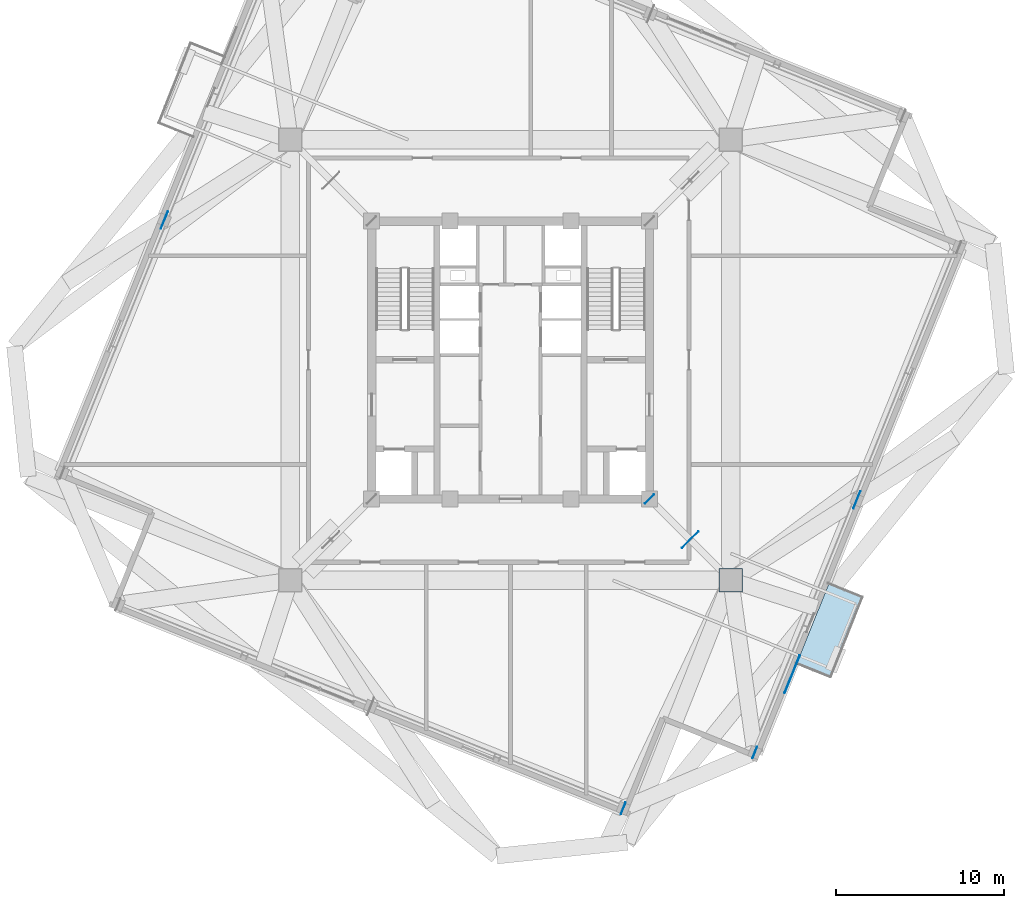
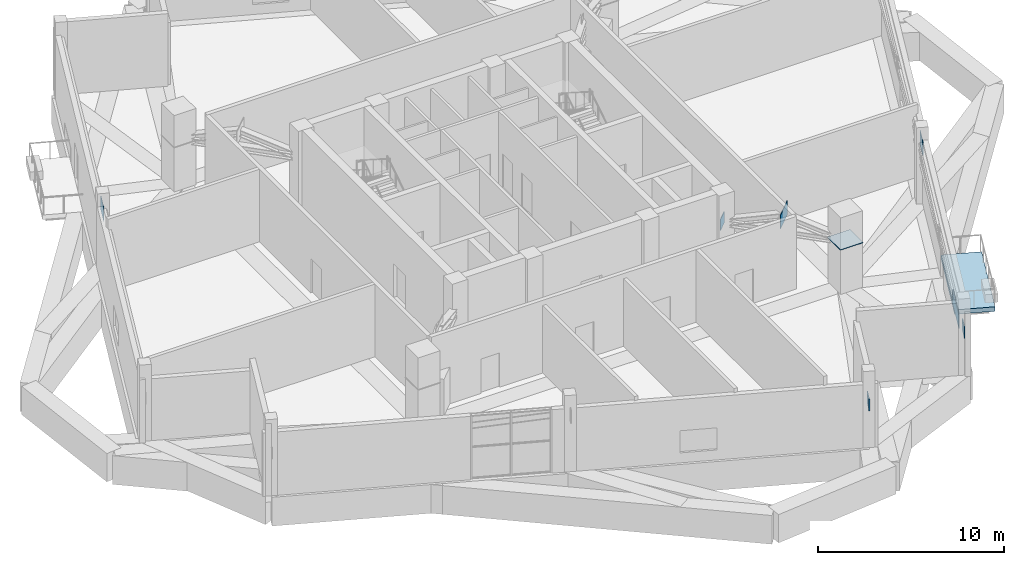
# One storey, part 13 of 20: 8 plates, 1 slab.
"""IFC4 building model written with IfcOpenShell, lengths in metres."""

from ifc_helpers import new_model, si_unit, direction, frame, origin, origin_2d, place, context, subcontext, project, spatial, polyline, rectangle, outline, extrude, source, transform, mapped, material, layer, layer_set, type_object, element, save


model = new_model("IFC4")

# Units and contexts
model_context = context("Model", 3, precision=1e-05, world=origin(), true_north=direction((0.0, 1.0)))
body_context = subcontext(model_context, "Body", "Model", "MODEL_VIEW")
ifc_project = project(units=[si_unit("LENGTHUNIT", "METRE"), si_unit("AREAUNIT", "SQUARE_METRE"), si_unit("VOLUMEUNIT", "CUBIC_METRE"), si_unit("PLANEANGLEUNIT", "RADIAN"), si_unit("MASSUNIT", "GRAM", prefix="KILO"), si_unit("THERMODYNAMICTEMPERATUREUNIT", "KELVIN")], contexts=[model_context])

# Site, building, storey
site_placement = place(None, origin())
site = spatial("IfcSite", under=ifc_project, at=site_placement, CompositionType="ELEMENT")
building_placement = place(site_placement, origin())
building = spatial("IfcBuilding", under=site, at=building_placement, Name="Kosmvard Interchange Tower", CompositionType="ELEMENT")
storey_placement = place(building_placement, frame((0.0, 0.0, 260.199951171875)))
storey = spatial("IfcBuildingStorey", under=building, at=storey_placement, Name="L63", CompositionType="ELEMENT", Elevation=260.199951171875)

# Slab
ifc_material_1 = material(Name="Precast concrete C45/55", Category="concrete")
ifc_layer_1 = layer(ifc_material_1, 0.2900390625, Name="Precast concrete C45/55")
ifc_layer_set_1 = layer_set([ifc_layer_1], Name="Precast concrete C45/55")
slab_type = type_object("IfcSlabType", Name="Cascade Garden Terrace Slab 290 C45/55", PredefinedType="FLOOR", material=ifc_layer_set_1)
slab_placement = place(storey_placement, frame((0.0, 0.0, -0.2900390625)))
element("IfcSlab", 1, at=slab_placement, inside=storey, type_object=slab_type, Name="L63 Outdoor Terrace Balcony Slab SKG-L63-S", PredefinedType="FLOOR", context=body_context, shape_type="SweptSolid", body=[
    extrude(outline(polyline([(19.005615234375, -18.8955078125), (20.953369140625, -14.07421875), (18.91357421875, -13.25), (16.9658203125, -18.0712890625), (19.005615234375, -18.8955078125)])), origin(), (0.0, 0.0, 1.0), 0.2900390625),
])

# Plates
ifc_material_2 = material(Name="Steel S460", Category="steel")
ifc_layer_2 = layer(ifc_material_2, 0.031982421875, Name="Steel S460")
ifc_layer_set_2 = layer_set([ifc_layer_2], Name="Steel S460")
plate_type_1 = type_object("IfcPlateType", Name="Belt Truss Gusset Plate 1100x1100x32 S460", PredefinedType="USERDEFINED", material=ifc_layer_set_2)
shared_shape_1 = source(origin(), body_context, "Body", "SweptSolid", [
    extrude(rectangle(XDim=0.75, YDim=0.031982421875, at=origin_2d()), origin(), (0.0, 0.0, 1.0), 0.75),
])
for number, where, z_axis, x_axis, name in (
    (2, (8.25, -8.25, 2.545166015625), (0.0, 0.0, 1.0), (0.707106781187, 0.707106781187, 0.0), "L63 Outrigger Core End Gusset Plate 2"),
    (3, (14.5009765625, -23.30419921875, 2.445068359375), (0.0, 0.0, 1.0), (0.374606593416, 0.927183854567, 0.0), "L63 Belt Truss End Gusset Plate BAS"),
    (4, (6.690185546875, -26.61962890625, 2.445068359375), (0.0, 0.0, 1.0), (0.374606593416, 0.927183854567, 0.0), "L63 Belt Truss End Gusset Plate BBW"),
):
    element("IfcPlate", number, at=place(storey_placement, frame(where, z_axis=z_axis, x_axis=x_axis)), inside=storey, type_object=plate_type_1, Name=name, ObjectType="GUSSET_PLATE", PredefinedType="USERDEFINED", context=body_context, shape_type="MappedRepresentation", body=[
        mapped(shared_shape_1, transform((0.0, 0.0, 0.0), scale=1.0)),
    ])
ifc_layer_3 = layer(ifc_material_2, 0.035888671875, Name="Steel S460")
ifc_layer_set_3 = layer_set([ifc_layer_3], Name="Steel S460")
plate_type_2 = type_object("IfcPlateType", Name="Outrigger Node Gusset Plate 1400x1400x36 S460", PredefinedType="USERDEFINED", material=ifc_layer_set_3)
shared_shape_2 = source(origin(), body_context, "Body", "SweptSolid", [
    extrude(rectangle(XDim=1.39990234375, YDim=0.035888671875, at=origin_2d()), origin(), (0.0, 0.0, 1.0), 0.89990234375),
])
plate_1_placement = place(storey_placement, frame((10.66552734375, -10.66552734375, 3.5), z_axis=(0.0, 0.0, 1.0), x_axis=(0.707106781187, 0.707106781187, 0.0)))
element("IfcPlate", 5, at=plate_1_placement, inside=storey, type_object=plate_type_2, Name="L63 Outrigger Node Gusset Plate 2", ObjectType="GUSSET_PLATE", PredefinedType="USERDEFINED", context=body_context, shape_type="MappedRepresentation", body=[
    mapped(shared_shape_2, transform((0.0, 0.0, 0.0), scale=1.0)),
])
ifc_layer_4 = layer(ifc_material_2, 0.034912109375, Name="Steel S460")
ifc_layer_set_4 = layer_set([ifc_layer_4], Name="Steel S460")
plate_type_3 = type_object("IfcPlateType", Name="Mega-Column Splice Flange Plate 1400x1400x35 S460", PredefinedType="USERDEFINED", material=ifc_layer_set_4)
shared_shape_3 = source(origin(), body_context, "Body", "SweptSolid", [
    extrude(rectangle(XDim=1.39990234375, YDim=1.39990234375, at=origin_2d()), origin(), (0.0, 0.0, 1.0), 0.034912109375),
])
plate_2_placement = place(storey_placement, frame((13.0810546875, -13.0810546875, 2.90283203125), z_axis=(0.0, 0.0, 1.0), x_axis=(1.0, 0.0, 0.0)))
element("IfcPlate", 6, at=plate_2_placement, inside=storey, type_object=plate_type_3, Name="L63 Mega-Column Splice Flange Plate 2", ObjectType="FLANGE_PLATE", PredefinedType="USERDEFINED", context=body_context, shape_type="MappedRepresentation", body=[
    mapped(shared_shape_3, transform((0.0, 0.0, 0.0), scale=1.0)),
])
shared_shape_4 = source(origin(), body_context, "Body", "SweptSolid", [
    extrude(rectangle(XDim=1.10009765625, YDim=0.031982421875, at=origin_2d()), origin(), (0.0, 0.0, 1.0), 0.89990234375),
])
for number, where, z_axis, x_axis, name in (
    (7, (20.560302734375, -8.306884765625, 3.320068359375), (0.0, 0.0, 1.0), (0.374606593416, 0.927183854567, 0.0), "L63 Belt Truss Node Gusset Plate S"),
    (8, (-20.560302734375, 8.306884765625, 3.320068359375), (0.0, 0.0, 1.0), (0.374606593416, 0.927183854567, 0.0), "L63 Belt Truss Node Gusset Plate N"),
):
    element("IfcPlate", number, at=place(storey_placement, frame(where, z_axis=z_axis, x_axis=x_axis)), inside=storey, type_object=plate_type_1, Name=name, ObjectType="GUSSET_PLATE", PredefinedType="USERDEFINED", context=body_context, shape_type="MappedRepresentation", body=[
        mapped(shared_shape_4, transform((0.0, 0.0, 0.0), scale=1.0)),
    ])
ifc_material_3 = material(Name="Architectural anodised aluminium", Category="aluminium")
ifc_layer_5 = layer(ifc_material_3, 0.0400390625, Name="Architectural anodised aluminium")
ifc_layer_set_5 = layer_set([ifc_layer_5], Name="Architectural anodised aluminium")
plate_type_4 = type_object("IfcPlateType", Name="Precast Spandrel Shadow Feature Sheet 2400x900x40", PredefinedType="SHEET", material=ifc_layer_set_5)
shared_shape_5 = source(origin(), body_context, "Body", "SweptSolid", [
    extrude(rectangle(XDim=0.0400390625, YDim=2.39990234375, at=origin_2d()), origin(), (0.0, 0.0, 1.0), 0.89990234375),
])
plate_3_placement = place(storey_placement, frame((16.72509765625, -18.65087890625, 0.050048828125), z_axis=(0.0, 0.0, 1.0), x_axis=(0.927183733755, -0.374606892434, 0.0)))
element("IfcPlate", 9, at=plate_3_placement, inside=storey, type_object=plate_type_4, Name="L63 Transfer Spandrel Fascia Sheet S", PredefinedType="SHEET", context=body_context, shape_type="MappedRepresentation", body=[
    mapped(shared_shape_5, transform((0.0, 0.0, 0.0), scale=1.0)),
])

save(model, "model.ifc")
